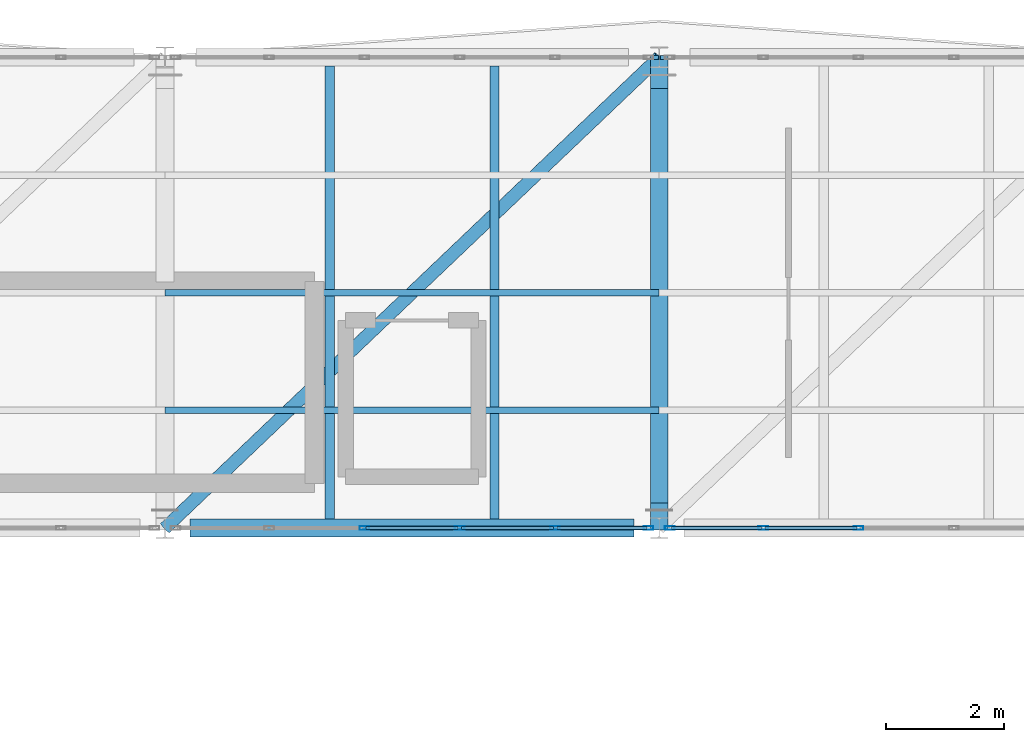
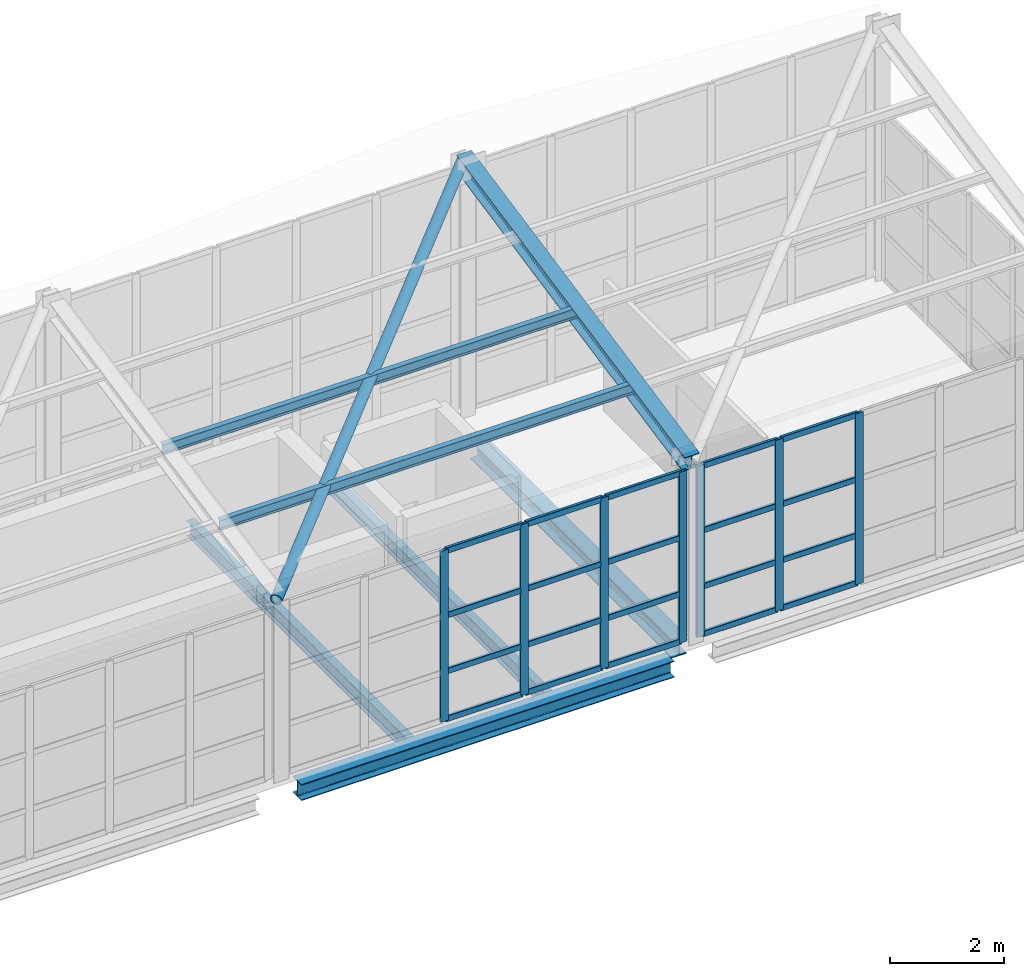
# One storey, part 115 of 177: 31 members, 4 beams, 2 elements without a shape of their own.
"""IFC4 building model written with IfcOpenShell, lengths in metres."""

from ifc_helpers import new_model, si_unit, direction, frame, origin, origin_2d, place, context, subcontext, project, spatial, hollow_rectangle, hollow_circle, i_section, extrude, material, layer, layer_set, material_profile, profile_set, type_object, element, aggregate, save


model = new_model("IFC4")

# Units and contexts
model_context = context("Model", 3, precision=1e-05, world=origin(), true_north=direction((0.0, 1.0)))
body_context = subcontext(model_context, "Body", "Model", "MODEL_VIEW")
ifc_project = project(units=[si_unit("LENGTHUNIT", "METRE"), si_unit("AREAUNIT", "SQUARE_METRE"), si_unit("VOLUMEUNIT", "CUBIC_METRE"), si_unit("PLANEANGLEUNIT", "RADIAN"), si_unit("MASSUNIT", "GRAM", prefix="KILO"), si_unit("THERMODYNAMICTEMPERATUREUNIT", "KELVIN"), si_unit("POWERUNIT", "WATT")], contexts=[model_context])

# Site, building, storey
site_placement = place(None, origin())
site = spatial("IfcSite", under=ifc_project, at=site_placement, CompositionType="ELEMENT")
building_placement = place(site_placement, origin())
building = spatial("IfcBuilding", under=site, at=building_placement, Name="Mavoryth Pier Ferry Terminal", CompositionType="ELEMENT")
storey_placement = place(building_placement, frame((0.0, 0.0, 5.43994140625)))
storey = spatial("IfcBuildingStorey", under=building, at=storey_placement, Name="L01", CompositionType="ELEMENT", Elevation=5.43994140625)

# Beam
ifc_material_1 = material(Name="Steel S355J2", Category="steel")
ifc_material_profile_1 = material_profile(ifc_material_1, i_section(OverallWidth=0.300048828125, OverallDepth=0.389892578125, WebThickness=0.010986328125, FlangeThickness=0.01904296875, FilletRadius=0.027099609375, at=origin_2d()), Name="HEA 400", Category="steel")
ifc_profile_set_1 = profile_set([ifc_material_profile_1], Name="Steel S355J2 - HEA 400")
beam_type_1 = type_object("IfcBeamType", Name="Beam-Steel-HEA400", PredefinedType="BEAM", material=ifc_profile_set_1)
beam_1_placement = place(storey_placement, frame((142.800048828125, 106.425048828125, -0.43505859375), z_axis=(0.0, 1.0, 0.0), x_axis=(-1.0, 0.0, 0.0)))
element("IfcBeam", 1, at=beam_1_placement, inside=storey, type_object=beam_type_1, Name="Beam B01-SB04-0289", PredefinedType="BEAM", context=body_context, shape_type="SweptSolid", body=[
    extrude(i_section(OverallWidth=0.300048828125, OverallDepth=0.389892578125, WebThickness=0.010986328125, FlangeThickness=0.01904296875, FilletRadius=0.027099609375, at=origin_2d()), origin(), (0.0, 0.0, 1.0), 7.050048828125),
])

# Member
ifc_material_profile_2 = material_profile(ifc_material_1, hollow_circle(Radius=0.109619140625, WallThickness=0.010009765625, at=origin_2d()), Name="CHS 219.1x10.0", Category="steel")
ifc_profile_set_2 = profile_set([ifc_material_profile_2], Name="Steel S355J2 - CHS 219.1x10.0")
member_type_1 = type_object("IfcMemberType", Name="Brace-Diag-CHS219", PredefinedType="BRACE", material=ifc_profile_set_2)
member_1_placement = place(storey_placement, frame((134.39990234375, 106.0, 3.771240234375), z_axis=(0.717118778547, 0.682958355435, 0.138955180532), x_axis=(-0.689648865971, 0.724143937118, 0.0)))
element("IfcMember", 2, at=member_1_placement, inside=storey, type_object=member_type_1, Name="Steel Member MB-L01-0293", PredefinedType="BRACE", context=body_context, shape_type="SweptSolid", body=[
    extrude(hollow_circle(Radius=0.109619140625, WallThickness=0.010009765625, at=origin_2d()), origin(), (0.0, 0.0, 1.0), 11.713623046875),
])

# Beams
ifc_material_profile_3 = material_profile(ifc_material_1, i_section(OverallWidth=0.159912109375, OverallDepth=0.330078125, WebThickness=0.007568359375, FlangeThickness=0.011474609375, FilletRadius=0.01806640625, at=origin_2d()), Name="IPE 330", Category="steel")
ifc_profile_set_3 = profile_set([ifc_material_profile_3], Name="Steel S355J2 - IPE 330")
beam_type_2 = type_object("IfcBeamType", Name="Joist-Steel-IPE330", PredefinedType="JOIST", material=ifc_profile_set_3)
for number, where, z_axis, x_axis, name in (
    (3, (137.199951171875, 106.14990234375, -0.405029296875), (0.0, 1.0, 0.0), (-1.0, 0.0, 0.0), "Beam B01-SJ03-0307"),
    (4, (140.0, 106.14990234375, -0.405029296875), (0.0, 1.0, 0.0), (-1.0, 0.0, 0.0), "Beam B01-SJ03-0308"),
):
    element("IfcBeam", number, at=place(storey_placement, frame(where, z_axis=z_axis, x_axis=x_axis)), inside=storey, type_object=beam_type_2, Name=name, PredefinedType="JOIST", context=body_context, shape_type="SweptSolid", body=[
        extrude(i_section(OverallWidth=0.159912109375, OverallDepth=0.330078125, WebThickness=0.007568359375, FlangeThickness=0.011474609375, FilletRadius=0.01806640625, at=origin_2d()), origin(), (0.0, 0.0, 1.0), 7.7001953125),
    ])

# Curtain wall, members
ifc_material_2 = material(Name="Anodised Aluminium and Solar-Control Low-E Glass", Category="aluminium")
ifc_layer = layer(ifc_material_2, 0.139892578125, Name="Anodised Aluminium and Solar-Control Low-E Glass", Category="aluminium")
ifc_layer_set = layer_set([ifc_layer], Name="Anodised Aluminium and Solar-Control Low-E Glass - CW-Gallery-Mod1600")
curtain_wall_type = type_object("IfcCurtainWallType", Name="CW-Gallery-Mod1600", PredefinedType="USERDEFINED", material=ifc_layer_set)
curtain_wall_1_placement = place(storey_placement, origin())
curtain_wall_1 = element("IfcCurtainWall", 5, at=curtain_wall_1_placement, inside=storey, type_object=curtain_wall_type, Name="Curtain Wall CW-0122-093", ObjectType="UNITISED CURTAIN WALL", PredefinedType="USERDEFINED")
ifc_material_3 = material(Name="Anodised Aluminium EN AW-6063", Category="aluminium")
ifc_material_profile_4 = material_profile(ifc_material_3, hollow_rectangle(XDim=0.06005859375, YDim=0.1650390625, WallThickness=0.00390625, InnerFilletRadius=0.00390625, OuterFilletRadius=0.008056640625, at=origin_2d()), Name="AL-MULL 165x60x4", Category="aluminium")
ifc_profile_set_4 = profile_set([ifc_material_profile_4], Name="Anodised Aluminium EN AW-6063 - AL-MULL 165x60x4")
member_type_2 = type_object("IfcMemberType", Name="Mullion-Alum-165x60", PredefinedType="MULLION", material=ifc_profile_set_4)
member_2_placement = place(storey_placement, frame((137.7900390625, 106.0, 0.0), z_axis=(0.0, 0.0, 1.0), x_axis=(0.0, 1.0, 0.0)))
member_2 = element("IfcMember", 6, at=member_2_placement, type_object=member_type_2, Name="CW05 mullion 3", PredefinedType="MULLION", context=body_context, shape_type="SweptSolid", body=[
    extrude(hollow_rectangle(XDim=0.06005859375, YDim=0.1650390625, WallThickness=0.00390625, InnerFilletRadius=0.00390625, OuterFilletRadius=0.008056640625, at=origin_2d()), origin(), (0.0, 0.0, 1.0), 3.66015625),
])
member_3_placement = place(storey_placement, frame((139.409912109375, 106.0, 0.0), z_axis=(0.0, 0.0, 1.0), x_axis=(0.0, 1.0, 0.0)))
member_3 = element("IfcMember", 7, at=member_3_placement, type_object=member_type_2, Name="CW05 mullion 4", PredefinedType="MULLION", context=body_context, shape_type="SweptSolid", body=[
    extrude(hollow_rectangle(XDim=0.06005859375, YDim=0.1650390625, WallThickness=0.00390625, InnerFilletRadius=0.00390625, OuterFilletRadius=0.008056640625, at=origin_2d()), origin(), (0.0, 0.0, 1.0), 3.66015625),
])
member_4_placement = place(storey_placement, frame((141.030029296875, 106.0, 0.0), z_axis=(0.0, 0.0, 1.0), x_axis=(0.0, 1.0, 0.0)))
member_4 = element("IfcMember", 8, at=member_4_placement, type_object=member_type_2, Name="CW05 mullion 5", PredefinedType="MULLION", context=body_context, shape_type="SweptSolid", body=[
    extrude(hollow_rectangle(XDim=0.06005859375, YDim=0.1650390625, WallThickness=0.00390625, InnerFilletRadius=0.00390625, OuterFilletRadius=0.008056640625, at=origin_2d()), origin(), (0.0, 0.0, 1.0), 3.66015625),
])
member_5_placement = place(storey_placement, frame((142.6201171875, 106.0, 0.0), z_axis=(0.0, 0.0, 1.0), x_axis=(0.0, 1.0, 0.0)))
member_5 = element("IfcMember", 9, at=member_5_placement, type_object=member_type_2, Name="CW05 mullion 6", PredefinedType="MULLION", context=body_context, shape_type="SweptSolid", body=[
    extrude(hollow_rectangle(XDim=0.06005859375, YDim=0.1650390625, WallThickness=0.00390625, InnerFilletRadius=0.00390625, OuterFilletRadius=0.008056640625, at=origin_2d()), origin(), (0.0, 0.0, 1.0), 3.66015625),
])

curtain_wall_2_placement = place(storey_placement, origin())
curtain_wall_2 = element("IfcCurtainWall", 10, at=curtain_wall_2_placement, inside=storey, type_object=curtain_wall_type, Name="Curtain Wall CW-0122-095", ObjectType="UNITISED CURTAIN WALL", PredefinedType="USERDEFINED")
member_6_placement = place(storey_placement, frame((142.97998046875, 106.0, 0.0), z_axis=(0.0, 0.0, 1.0), x_axis=(0.0, 1.0, 0.0)))
member_6 = element("IfcMember", 11, at=member_6_placement, type_object=member_type_2, Name="CW05 mullion 1", PredefinedType="MULLION", context=body_context, shape_type="SweptSolid", body=[
    extrude(hollow_rectangle(XDim=0.06005859375, YDim=0.1650390625, WallThickness=0.00390625, InnerFilletRadius=0.00390625, OuterFilletRadius=0.008056640625, at=origin_2d()), origin(), (0.0, 0.0, 1.0), 3.66015625),
])
member_7_placement = place(storey_placement, frame((144.570068359375, 106.0, 0.0), z_axis=(0.0, 0.0, 1.0), x_axis=(0.0, 1.0, 0.0)))
member_7 = element("IfcMember", 12, at=member_7_placement, type_object=member_type_2, Name="CW05 mullion 2", PredefinedType="MULLION", context=body_context, shape_type="SweptSolid", body=[
    extrude(hollow_rectangle(XDim=0.06005859375, YDim=0.1650390625, WallThickness=0.00390625, InnerFilletRadius=0.00390625, OuterFilletRadius=0.008056640625, at=origin_2d()), origin(), (0.0, 0.0, 1.0), 3.66015625),
])
member_8_placement = place(storey_placement, frame((146.18994140625, 106.0, 0.0), z_axis=(0.0, 0.0, 1.0), x_axis=(0.0, 1.0, 0.0)))
member_8 = element("IfcMember", 13, at=member_8_placement, type_object=member_type_2, Name="CW05 mullion 3", PredefinedType="MULLION", context=body_context, shape_type="SweptSolid", body=[
    extrude(hollow_rectangle(XDim=0.06005859375, YDim=0.1650390625, WallThickness=0.00390625, InnerFilletRadius=0.00390625, OuterFilletRadius=0.008056640625, at=origin_2d()), origin(), (0.0, 0.0, 1.0), 3.66015625),
])

# Members
ifc_material_profile_5 = material_profile(ifc_material_1, i_section(OverallWidth=0.110107421875, OverallDepth=0.219970703125, WebThickness=0.005859375, FlangeThickness=0.00927734375, FilletRadius=0.011962890625, at=origin_2d()), Name="IPE 220", Category="steel")
ifc_profile_set_5 = profile_set([ifc_material_profile_5], Name="Steel S355J2 - IPE 220")
member_type_3 = type_object("IfcMemberType", Name="Purlin-Roof-IPE220", PredefinedType="PURLIN", material=ifc_profile_set_5)
for number, where, z_axis, x_axis, name in (
    (14, (134.39990234375, 108.0, 4.17822265625), (1.0, 0.0, 0.0), (0.0, 1.0, 0.0), "Steel Member MB-L01-0290"),
    (15, (134.39990234375, 110.0, 4.5849609375), (1.0, 0.0, 0.0), (0.0, 1.0, 0.0), "Steel Member MB-L01-0291"),
):
    element("IfcMember", number, at=place(storey_placement, frame(where, z_axis=z_axis, x_axis=x_axis)), inside=storey, type_object=member_type_3, Name=name, PredefinedType="PURLIN", context=body_context, shape_type="SweptSolid", body=[
        extrude(i_section(OverallWidth=0.110107421875, OverallDepth=0.219970703125, WebThickness=0.005859375, FlangeThickness=0.00927734375, FilletRadius=0.011962890625, at=origin_2d()), origin(), (0.0, 0.0, 1.0), 8.400146484375),
    ])
ifc_material_profile_6 = material_profile(ifc_material_1, i_section(OverallWidth=0.300048828125, OverallDepth=0.35009765625, WebThickness=0.010009765625, FlangeThickness=0.017578125, FilletRadius=0.027099609375, at=origin_2d()), Name="HEA 360", Category="steel")
ifc_profile_set_6 = profile_set([ifc_material_profile_6], Name="Steel S355J2 - HEA 360")
member_type_4 = type_object("IfcMemberType", Name="Rafter-Gallery-HEA360", PredefinedType="RAFTER", material=ifc_profile_set_6)
member_9_placement = place(storey_placement, frame((142.800048828125, 106.0, 3.771240234375), z_axis=(0.0, 0.979923097627, 0.199375832882), x_axis=(-1.0, 0.0, 0.0)))
element("IfcMember", 16, at=member_9_placement, inside=storey, type_object=member_type_4, Name="Steel Member MB-L01-0248", PredefinedType="RAFTER", context=body_context, shape_type="SweptSolid", body=[
    extrude(i_section(OverallWidth=0.300048828125, OverallDepth=0.35009765625, WebThickness=0.010009765625, FlangeThickness=0.017578125, FilletRadius=0.027099609375, at=origin_2d()), origin(), (0.0, 0.0, 1.0), 8.163818359375),
])

# Beam
ifc_material_profile_7 = material_profile(ifc_material_1, i_section(OverallWidth=0.300048828125, OverallDepth=0.35009765625, WebThickness=0.010009765625, FlangeThickness=0.017578125, FilletRadius=0.027099609375, at=origin_2d()), Name="HEA 360", Category="steel")
ifc_profile_set_7 = profile_set([ifc_material_profile_7], Name="Steel S355J2 - HEA 360")
beam_type_3 = type_object("IfcBeamType", Name="Spandrel-Steel-HEA360", PredefinedType="SPANDREL", material=ifc_profile_set_7)
beam_2_placement = place(storey_placement, frame((134.824951171875, 106.0, -0.4150390625), z_axis=(1.0, 0.0, 0.0), x_axis=(0.0, 1.0, 0.0)))
element("IfcBeam", 17, at=beam_2_placement, inside=storey, type_object=beam_type_3, Name="Beam B01-SP03-0264", PredefinedType="SPANDREL", context=body_context, shape_type="SweptSolid", body=[
    extrude(i_section(OverallWidth=0.300048828125, OverallDepth=0.35009765625, WebThickness=0.010009765625, FlangeThickness=0.017578125, FilletRadius=0.027099609375, at=origin_2d()), origin(), (0.0, 0.0, 1.0), 7.550048828125),
])

# Member
ifc_material_profile_8 = material_profile(ifc_material_3, hollow_rectangle(XDim=0.06005859375, YDim=0.125, WallThickness=0.00390625, InnerFilletRadius=0.00390625, OuterFilletRadius=0.008056640625, at=origin_2d()), Name="AL-TRAN 125x60x4", Category="aluminium")
ifc_profile_set_8 = profile_set([ifc_material_profile_8], Name="Anodised Aluminium EN AW-6063 - AL-TRAN 125x60x4")
member_type_5 = type_object("IfcMemberType", Name="Transom-Alum-125x60", PredefinedType="USERDEFINED", material=ifc_profile_set_8)
member_10_placement = place(storey_placement, frame((137.820068359375, 106.0, 0.030029296875), z_axis=(1.0, 0.0, 0.0), x_axis=(0.0, 1.0, 0.0)))
member_10 = element("IfcMember", 18, at=member_10_placement, type_object=member_type_5, Name="CW05 transom 3.1", ObjectType="TRANSOM", PredefinedType="USERDEFINED", context=body_context, shape_type="SweptSolid", body=[
    extrude(hollow_rectangle(XDim=0.06005859375, YDim=0.125, WallThickness=0.00390625, InnerFilletRadius=0.00390625, OuterFilletRadius=0.008056640625, at=origin_2d()), origin(), (0.0, 0.0, 1.0), 1.559814453125),
])

member_11_placement = place(storey_placement, frame((137.820068359375, 106.0, 1.050048828125), z_axis=(1.0, 0.0, 0.0), x_axis=(0.0, 1.0, 0.0)))
member_11 = element("IfcMember", 19, at=member_11_placement, type_object=member_type_5, Name="CW05 transom 3.2", ObjectType="TRANSOM", PredefinedType="USERDEFINED", context=body_context, shape_type="SweptSolid", body=[
    extrude(hollow_rectangle(XDim=0.06005859375, YDim=0.125, WallThickness=0.00390625, InnerFilletRadius=0.00390625, OuterFilletRadius=0.008056640625, at=origin_2d()), origin(), (0.0, 0.0, 1.0), 1.559814453125),
])

member_12_placement = place(storey_placement, frame((137.820068359375, 106.0, 2.25), z_axis=(1.0, 0.0, 0.0), x_axis=(0.0, 1.0, 0.0)))
member_12 = element("IfcMember", 20, at=member_12_placement, type_object=member_type_5, Name="CW05 transom 3.3", ObjectType="TRANSOM", PredefinedType="USERDEFINED", context=body_context, shape_type="SweptSolid", body=[
    extrude(hollow_rectangle(XDim=0.06005859375, YDim=0.125, WallThickness=0.00390625, InnerFilletRadius=0.00390625, OuterFilletRadius=0.008056640625, at=origin_2d()), origin(), (0.0, 0.0, 1.0), 1.559814453125),
])

member_13_placement = place(storey_placement, frame((137.820068359375, 106.0, 3.630126953125), z_axis=(1.0, 0.0, 0.0), x_axis=(0.0, 1.0, 0.0)))
member_13 = element("IfcMember", 21, at=member_13_placement, type_object=member_type_5, Name="CW05 transom 3.4", ObjectType="TRANSOM", PredefinedType="USERDEFINED", context=body_context, shape_type="SweptSolid", body=[
    extrude(hollow_rectangle(XDim=0.06005859375, YDim=0.125, WallThickness=0.00390625, InnerFilletRadius=0.00390625, OuterFilletRadius=0.008056640625, at=origin_2d()), origin(), (0.0, 0.0, 1.0), 1.559814453125),
])

member_14_placement = place(storey_placement, frame((139.43994140625, 106.0, 0.030029296875), z_axis=(1.0, 0.0, 0.0), x_axis=(0.0, 1.0, 0.0)))
member_14 = element("IfcMember", 22, at=member_14_placement, type_object=member_type_5, Name="CW05 transom 4.1", ObjectType="TRANSOM", PredefinedType="USERDEFINED", context=body_context, shape_type="SweptSolid", body=[
    extrude(hollow_rectangle(XDim=0.06005859375, YDim=0.125, WallThickness=0.00390625, InnerFilletRadius=0.00390625, OuterFilletRadius=0.008056640625, at=origin_2d()), origin(), (0.0, 0.0, 1.0), 1.56005859375),
])

member_15_placement = place(storey_placement, frame((139.43994140625, 106.0, 1.050048828125), z_axis=(1.0, 0.0, 0.0), x_axis=(0.0, 1.0, 0.0)))
member_15 = element("IfcMember", 23, at=member_15_placement, type_object=member_type_5, Name="CW05 transom 4.2", ObjectType="TRANSOM", PredefinedType="USERDEFINED", context=body_context, shape_type="SweptSolid", body=[
    extrude(hollow_rectangle(XDim=0.06005859375, YDim=0.125, WallThickness=0.00390625, InnerFilletRadius=0.00390625, OuterFilletRadius=0.008056640625, at=origin_2d()), origin(), (0.0, 0.0, 1.0), 1.56005859375),
])

member_16_placement = place(storey_placement, frame((139.43994140625, 106.0, 2.25), z_axis=(1.0, 0.0, 0.0), x_axis=(0.0, 1.0, 0.0)))
member_16 = element("IfcMember", 24, at=member_16_placement, type_object=member_type_5, Name="CW05 transom 4.3", ObjectType="TRANSOM", PredefinedType="USERDEFINED", context=body_context, shape_type="SweptSolid", body=[
    extrude(hollow_rectangle(XDim=0.06005859375, YDim=0.125, WallThickness=0.00390625, InnerFilletRadius=0.00390625, OuterFilletRadius=0.008056640625, at=origin_2d()), origin(), (0.0, 0.0, 1.0), 1.56005859375),
])

member_17_placement = place(storey_placement, frame((139.43994140625, 106.0, 3.630126953125), z_axis=(1.0, 0.0, 0.0), x_axis=(0.0, 1.0, 0.0)))
member_17 = element("IfcMember", 25, at=member_17_placement, type_object=member_type_5, Name="CW05 transom 4.4", ObjectType="TRANSOM", PredefinedType="USERDEFINED", context=body_context, shape_type="SweptSolid", body=[
    extrude(hollow_rectangle(XDim=0.06005859375, YDim=0.125, WallThickness=0.00390625, InnerFilletRadius=0.00390625, OuterFilletRadius=0.008056640625, at=origin_2d()), origin(), (0.0, 0.0, 1.0), 1.56005859375),
])

member_18_placement = place(storey_placement, frame((141.06005859375, 106.0, 0.030029296875), z_axis=(1.0, 0.0, 0.0), x_axis=(0.0, 1.0, 0.0)))
member_18 = element("IfcMember", 26, at=member_18_placement, type_object=member_type_5, Name="CW05 transom 5.1", ObjectType="TRANSOM", PredefinedType="USERDEFINED", context=body_context, shape_type="SweptSolid", body=[
    extrude(hollow_rectangle(XDim=0.06005859375, YDim=0.125, WallThickness=0.00390625, InnerFilletRadius=0.00390625, OuterFilletRadius=0.008056640625, at=origin_2d()), origin(), (0.0, 0.0, 1.0), 1.530029296875),
])

member_19_placement = place(storey_placement, frame((141.06005859375, 106.0, 1.050048828125), z_axis=(1.0, 0.0, 0.0), x_axis=(0.0, 1.0, 0.0)))
member_19 = element("IfcMember", 27, at=member_19_placement, type_object=member_type_5, Name="CW05 transom 5.2", ObjectType="TRANSOM", PredefinedType="USERDEFINED", context=body_context, shape_type="SweptSolid", body=[
    extrude(hollow_rectangle(XDim=0.06005859375, YDim=0.125, WallThickness=0.00390625, InnerFilletRadius=0.00390625, OuterFilletRadius=0.008056640625, at=origin_2d()), origin(), (0.0, 0.0, 1.0), 1.530029296875),
])

member_20_placement = place(storey_placement, frame((141.06005859375, 106.0, 2.25), z_axis=(1.0, 0.0, 0.0), x_axis=(0.0, 1.0, 0.0)))
member_20 = element("IfcMember", 28, at=member_20_placement, type_object=member_type_5, Name="CW05 transom 5.3", ObjectType="TRANSOM", PredefinedType="USERDEFINED", context=body_context, shape_type="SweptSolid", body=[
    extrude(hollow_rectangle(XDim=0.06005859375, YDim=0.125, WallThickness=0.00390625, InnerFilletRadius=0.00390625, OuterFilletRadius=0.008056640625, at=origin_2d()), origin(), (0.0, 0.0, 1.0), 1.530029296875),
])

member_21_placement = place(storey_placement, frame((141.06005859375, 106.0, 3.630126953125), z_axis=(1.0, 0.0, 0.0), x_axis=(0.0, 1.0, 0.0)))
member_21 = element("IfcMember", 29, at=member_21_placement, type_object=member_type_5, Name="CW05 transom 5.4", ObjectType="TRANSOM", PredefinedType="USERDEFINED", context=body_context, shape_type="SweptSolid", body=[
    extrude(hollow_rectangle(XDim=0.06005859375, YDim=0.125, WallThickness=0.00390625, InnerFilletRadius=0.00390625, OuterFilletRadius=0.008056640625, at=origin_2d()), origin(), (0.0, 0.0, 1.0), 1.530029296875),
])

aggregate(curtain_wall_1, [member_2, member_3, member_4, member_5, member_10, member_11, member_12, member_13, member_14, member_15, member_16, member_17, member_18, member_19, member_20, member_21])

member_22_placement = place(storey_placement, frame((143.010009765625, 106.0, 0.030029296875), z_axis=(1.0, 0.0, 0.0), x_axis=(0.0, 1.0, 0.0)))
member_22 = element("IfcMember", 30, at=member_22_placement, type_object=member_type_5, Name="CW05 transom 1.1", ObjectType="TRANSOM", PredefinedType="USERDEFINED", context=body_context, shape_type="SweptSolid", body=[
    extrude(hollow_rectangle(XDim=0.06005859375, YDim=0.125, WallThickness=0.00390625, InnerFilletRadius=0.00390625, OuterFilletRadius=0.008056640625, at=origin_2d()), origin(), (0.0, 0.0, 1.0), 1.530029296875),
])

member_23_placement = place(storey_placement, frame((143.010009765625, 106.0, 1.050048828125), z_axis=(1.0, 0.0, 0.0), x_axis=(0.0, 1.0, 0.0)))
member_23 = element("IfcMember", 31, at=member_23_placement, type_object=member_type_5, Name="CW05 transom 1.2", ObjectType="TRANSOM", PredefinedType="USERDEFINED", context=body_context, shape_type="SweptSolid", body=[
    extrude(hollow_rectangle(XDim=0.06005859375, YDim=0.125, WallThickness=0.00390625, InnerFilletRadius=0.00390625, OuterFilletRadius=0.008056640625, at=origin_2d()), origin(), (0.0, 0.0, 1.0), 1.530029296875),
])

member_24_placement = place(storey_placement, frame((143.010009765625, 106.0, 2.25), z_axis=(1.0, 0.0, 0.0), x_axis=(0.0, 1.0, 0.0)))
member_24 = element("IfcMember", 32, at=member_24_placement, type_object=member_type_5, Name="CW05 transom 1.3", ObjectType="TRANSOM", PredefinedType="USERDEFINED", context=body_context, shape_type="SweptSolid", body=[
    extrude(hollow_rectangle(XDim=0.06005859375, YDim=0.125, WallThickness=0.00390625, InnerFilletRadius=0.00390625, OuterFilletRadius=0.008056640625, at=origin_2d()), origin(), (0.0, 0.0, 1.0), 1.530029296875),
])

member_25_placement = place(storey_placement, frame((143.010009765625, 106.0, 3.630126953125), z_axis=(1.0, 0.0, 0.0), x_axis=(0.0, 1.0, 0.0)))
member_25 = element("IfcMember", 33, at=member_25_placement, type_object=member_type_5, Name="CW05 transom 1.4", ObjectType="TRANSOM", PredefinedType="USERDEFINED", context=body_context, shape_type="SweptSolid", body=[
    extrude(hollow_rectangle(XDim=0.06005859375, YDim=0.125, WallThickness=0.00390625, InnerFilletRadius=0.00390625, OuterFilletRadius=0.008056640625, at=origin_2d()), origin(), (0.0, 0.0, 1.0), 1.530029296875),
])

member_26_placement = place(storey_placement, frame((144.60009765625, 106.0, 0.030029296875), z_axis=(1.0, 0.0, 0.0), x_axis=(0.0, 1.0, 0.0)))
member_26 = element("IfcMember", 34, at=member_26_placement, type_object=member_type_5, Name="CW05 transom 2.1", ObjectType="TRANSOM", PredefinedType="USERDEFINED", context=body_context, shape_type="SweptSolid", body=[
    extrude(hollow_rectangle(XDim=0.06005859375, YDim=0.125, WallThickness=0.00390625, InnerFilletRadius=0.00390625, OuterFilletRadius=0.008056640625, at=origin_2d()), origin(), (0.0, 0.0, 1.0), 1.559814453125),
])

member_27_placement = place(storey_placement, frame((144.60009765625, 106.0, 1.050048828125), z_axis=(1.0, 0.0, 0.0), x_axis=(0.0, 1.0, 0.0)))
member_27 = element("IfcMember", 35, at=member_27_placement, type_object=member_type_5, Name="CW05 transom 2.2", ObjectType="TRANSOM", PredefinedType="USERDEFINED", context=body_context, shape_type="SweptSolid", body=[
    extrude(hollow_rectangle(XDim=0.06005859375, YDim=0.125, WallThickness=0.00390625, InnerFilletRadius=0.00390625, OuterFilletRadius=0.008056640625, at=origin_2d()), origin(), (0.0, 0.0, 1.0), 1.559814453125),
])

member_28_placement = place(storey_placement, frame((144.60009765625, 106.0, 2.25), z_axis=(1.0, 0.0, 0.0), x_axis=(0.0, 1.0, 0.0)))
member_28 = element("IfcMember", 36, at=member_28_placement, type_object=member_type_5, Name="CW05 transom 2.3", ObjectType="TRANSOM", PredefinedType="USERDEFINED", context=body_context, shape_type="SweptSolid", body=[
    extrude(hollow_rectangle(XDim=0.06005859375, YDim=0.125, WallThickness=0.00390625, InnerFilletRadius=0.00390625, OuterFilletRadius=0.008056640625, at=origin_2d()), origin(), (0.0, 0.0, 1.0), 1.559814453125),
])

member_29_placement = place(storey_placement, frame((144.60009765625, 106.0, 3.630126953125), z_axis=(1.0, 0.0, 0.0), x_axis=(0.0, 1.0, 0.0)))
member_29 = element("IfcMember", 37, at=member_29_placement, type_object=member_type_5, Name="CW05 transom 2.4", ObjectType="TRANSOM", PredefinedType="USERDEFINED", context=body_context, shape_type="SweptSolid", body=[
    extrude(hollow_rectangle(XDim=0.06005859375, YDim=0.125, WallThickness=0.00390625, InnerFilletRadius=0.00390625, OuterFilletRadius=0.008056640625, at=origin_2d()), origin(), (0.0, 0.0, 1.0), 1.559814453125),
])

aggregate(curtain_wall_2, [member_6, member_7, member_8, member_22, member_23, member_24, member_25, member_26, member_27, member_28, member_29])

save(model, "model.ifc")
